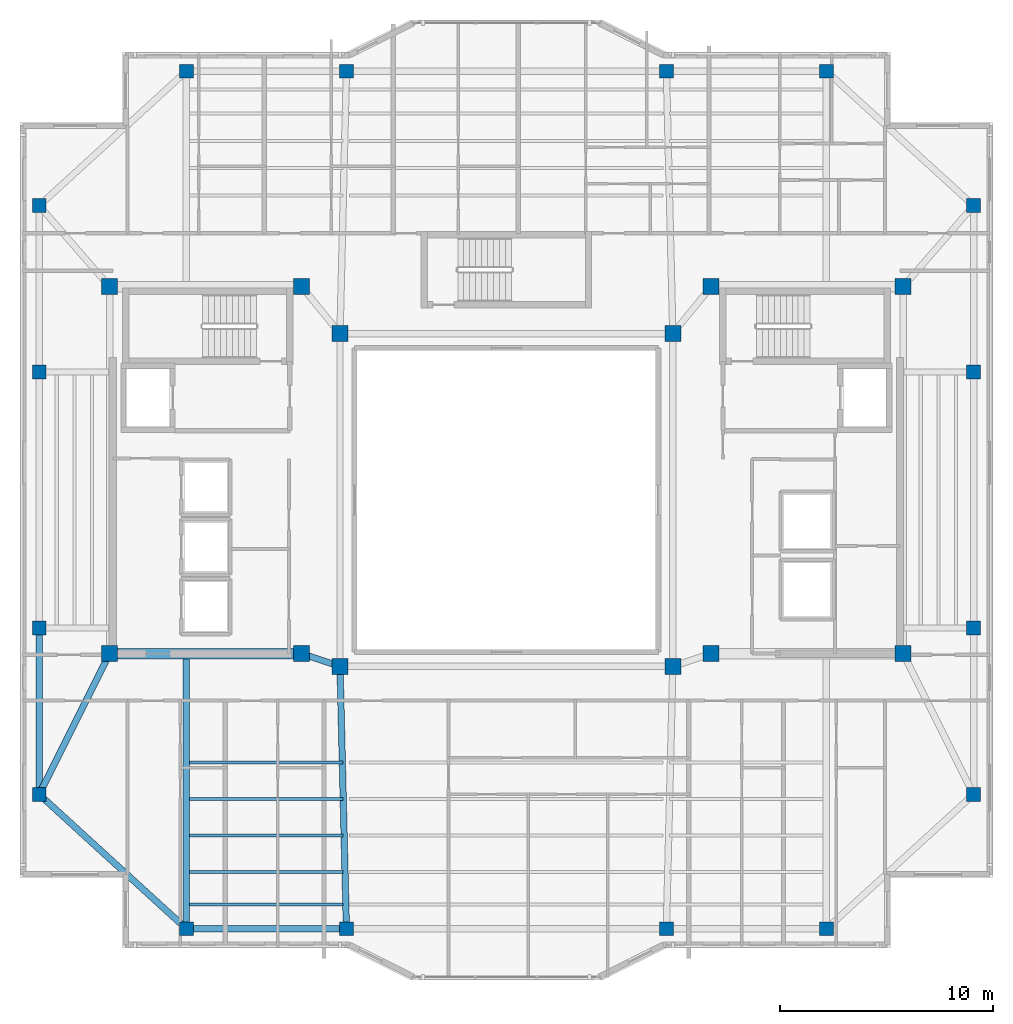
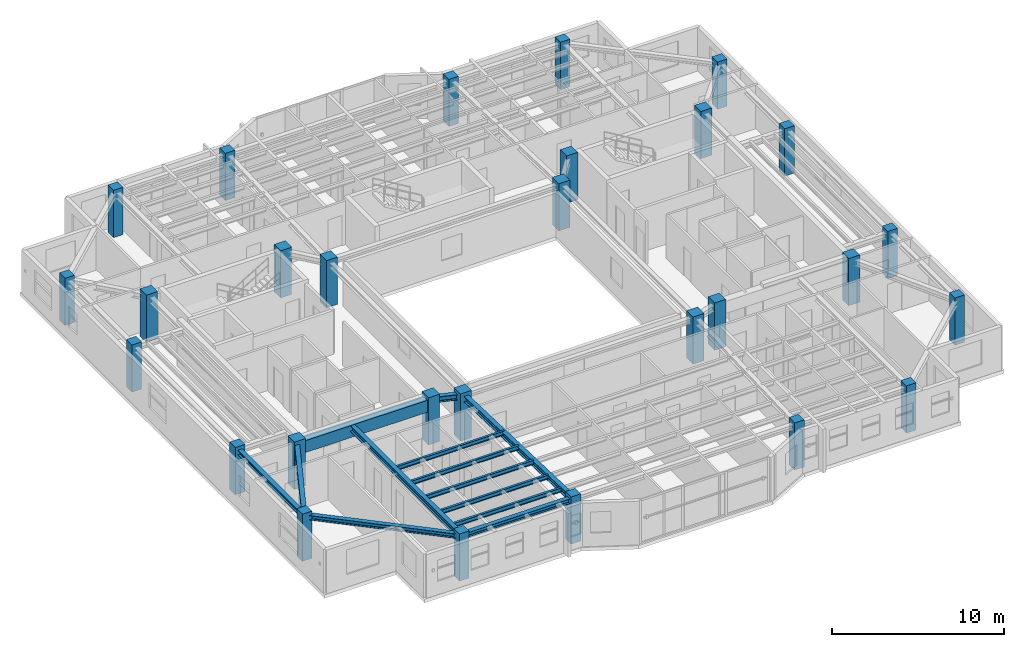
# One storey, part 1 of 14: 28 columns, 13 beams.
"""IFC4 building model written with IfcOpenShell, lengths in metres."""

from ifc_helpers import new_model, si_unit, direction, frame, origin, origin_2d, place, context, subcontext, project, spatial, rectangle, i_section, extrude, material, material_profile, profile_set, type_object, element, save


model = new_model("IFC4")

# Units and contexts
model_context = context("Model", 3, precision=1e-05, world=origin(), true_north=direction((0.0, 1.0)))
body_context = subcontext(model_context, "Body", "Model", "MODEL_VIEW")
ifc_project = project(units=[si_unit("LENGTHUNIT", "METRE"), si_unit("AREAUNIT", "SQUARE_METRE"), si_unit("VOLUMEUNIT", "CUBIC_METRE"), si_unit("PLANEANGLEUNIT", "RADIAN"), si_unit("MASSUNIT", "GRAM", prefix="KILO")], contexts=[model_context])

# Site, building, storey
site_placement = place(None, origin())
site = spatial("IfcSite", under=ifc_project, at=site_placement, CompositionType="ELEMENT")
building_placement = place(site_placement, origin())
building = spatial("IfcBuilding", under=site, at=building_placement, Name="Tarnavaz Court Tower", CompositionType="ELEMENT")
storey_placement = place(building_placement, frame((0.0, 0.0, 261.60009765625)))
storey = spatial("IfcBuildingStorey", under=building, at=storey_placement, Name="L71", CompositionType="ELEMENT", Elevation=261.60009765625)

# Columns
ifc_material_1 = material(Name="Concrete C50/60", Category="concrete")
ifc_material_profile_1 = material_profile(ifc_material_1, rectangle(XDim=0.64990234375, YDim=0.64990234375, at=origin_2d()), Name="RC 650X650")
ifc_profile_set_1 = profile_set([ifc_material_profile_1], Name="Concrete C50/60")
column_type_1 = type_object("IfcColumnType", Name="CL-RC650", PredefinedType="COLUMN", material=ifc_profile_set_1)
for number, where, z_axis, x_axis, name in (
    (1, (-15.0, 20.10009765625, 0.0), (0.0, 0.0, 1.0), (1.0, 0.0, 0.0), "L71 Column PN-1"),
    (2, (-7.5, 20.10009765625, 0.0), (0.0, 0.0, 1.0), (1.0, 0.0, 0.0), "L71 Column PN-2"),
    (3, (7.5, 20.10009765625, 0.0), (0.0, 0.0, 1.0), (1.0, 0.0, 0.0), "L71 Column PN-3"),
    (4, (15.0, 20.10009765625, 0.0), (0.0, 0.0, 1.0), (1.0, 0.0, 0.0), "L71 Column PN-4"),
    (5, (-15.0, -20.10009765625, 0.0), (0.0, 0.0, 1.0), (1.0, 0.0, 0.0), "L71 Column PS-1"),
    (6, (-7.5, -20.10009765625, 0.0), (0.0, 0.0, 1.0), (1.0, 0.0, 0.0), "L71 Column PS-2"),
    (7, (7.5, -20.10009765625, 0.0), (0.0, 0.0, 1.0), (1.0, 0.0, 0.0), "L71 Column PS-3"),
    (8, (15.0, -20.10009765625, 0.0), (0.0, 0.0, 1.0), (1.0, 0.0, 0.0), "L71 Column PS-4"),
    (9, (21.89990234375, -13.800048828125, 0.0), (0.0, 0.0, 1.0), (1.0, 0.0, 0.0), "L71 Column PE-1"),
    (10, (21.89990234375, -6.0, 0.0), (0.0, 0.0, 1.0), (1.0, 0.0, 0.0), "L71 Column PE-2"),
    (11, (21.89990234375, 6.0, 0.0), (0.0, 0.0, 1.0), (1.0, 0.0, 0.0), "L71 Column PE-3"),
    (12, (21.89990234375, 13.800048828125, 0.0), (0.0, 0.0, 1.0), (1.0, 0.0, 0.0), "L71 Column PE-4"),
    (13, (-21.89990234375, -13.800048828125, 0.0), (0.0, 0.0, 1.0), (1.0, 0.0, 0.0), "L71 Column PW-1"),
    (14, (-21.89990234375, -6.0, 0.0), (0.0, 0.0, 1.0), (1.0, 0.0, 0.0), "L71 Column PW-2"),
    (15, (-21.89990234375, 6.0, 0.0), (0.0, 0.0, 1.0), (1.0, 0.0, 0.0), "L71 Column PW-3"),
    (16, (-21.89990234375, 13.800048828125, 0.0), (0.0, 0.0, 1.0), (1.0, 0.0, 0.0), "L71 Column PW-4"),
):
    element("IfcColumn", number, at=place(storey_placement, frame(where, z_axis=z_axis, x_axis=x_axis)), inside=storey, type_object=column_type_1, Name=name, PredefinedType="COLUMN", context=body_context, shape_type="SweptSolid", body=[
        extrude(rectangle(XDim=0.64990234375, YDim=0.64990234375, at=origin_2d()), origin(), (0.0, 0.0, 1.0), 3.349853515625),
    ])
ifc_material_profile_2 = material_profile(ifc_material_1, rectangle(XDim=0.75, YDim=0.75, at=origin_2d()), Name="RC 750X750")
ifc_profile_set_2 = profile_set([ifc_material_profile_2], Name="Concrete C50/60")
column_type_2 = type_object("IfcColumnType", Name="CL-RC750", PredefinedType="COLUMN", material=ifc_profile_set_2)
for number, where, z_axis, x_axis, name in (
    (17, (-7.800048828125, -7.800048828125, 0.0), (0.0, 0.0, 1.0), (1.0, 0.0, 0.0), "L71 Column IW-SW"),
    (18, (7.800048828125, -7.800048828125, 0.0), (0.0, 0.0, 1.0), (1.0, 0.0, 0.0), "L71 Column IW-SE"),
    (19, (-7.800048828125, 7.800048828125, 0.0), (0.0, 0.0, 1.0), (1.0, 0.0, 0.0), "L71 Column IW-NW"),
    (20, (7.800048828125, 7.800048828125, 0.0), (0.0, 0.0, 1.0), (1.0, 0.0, 0.0), "L71 Column IW-NE"),
    (21, (-9.60009765625, -7.199951171875, 0.0), (0.0, 0.0, 1.0), (1.0, 0.0, 0.0), "L71 Column CW-SI"),
    (22, (-9.60009765625, 10.0, 0.0), (0.0, 0.0, 1.0), (1.0, 0.0, 0.0), "L71 Column CW-NI"),
    (23, (9.60009765625, -7.199951171875, 0.0), (0.0, 0.0, 1.0), (1.0, 0.0, 0.0), "L71 Column CE-SI"),
    (24, (9.60009765625, 10.0, 0.0), (0.0, 0.0, 1.0), (1.0, 0.0, 0.0), "L71 Column CE-NI"),
    (25, (-18.60009765625, -7.199951171875, 0.0), (0.0, 0.0, 1.0), (1.0, 0.0, 0.0), "L71 Column CW-SO"),
    (26, (-18.60009765625, 10.0, 0.0), (0.0, 0.0, 1.0), (1.0, 0.0, 0.0), "L71 Column CW-NO"),
    (27, (18.60009765625, -7.199951171875, 0.0), (0.0, 0.0, 1.0), (1.0, 0.0, 0.0), "L71 Column CE-SO"),
    (28, (18.60009765625, 10.0, 0.0), (0.0, 0.0, 1.0), (1.0, 0.0, 0.0), "L71 Column CE-NO"),
):
    element("IfcColumn", number, at=place(storey_placement, frame(where, z_axis=z_axis, x_axis=x_axis)), inside=storey, type_object=column_type_2, Name=name, PredefinedType="COLUMN", context=body_context, shape_type="SweptSolid", body=[
        extrude(rectangle(XDim=0.75, YDim=0.75, at=origin_2d()), origin(), (0.0, 0.0, 1.0), 3.349853515625),
    ])

# Beams
ifc_material_profile_3 = material_profile(ifc_material_1, rectangle(XDim=0.5, YDim=0.85009765625, at=origin_2d()), Name="RC 500X850")
ifc_profile_set_3 = profile_set([ifc_material_profile_3], Name="Concrete C50/60")
beam_type_1 = type_object("IfcBeamType", Name="BM-CB850", PredefinedType="LINTEL", material=ifc_profile_set_3)
beam_1_placement = place(storey_placement, frame((-18.3798828125, -7.199951171875, 2.6748046875), z_axis=(1.0, 0.0, 0.0), x_axis=(0.0, 1.0, 0.0)))
element("IfcBeam", 29, at=beam_1_placement, inside=storey, type_object=beam_type_1, Name="L71 Beam IN-CW-SO-CW-SI", PredefinedType="LINTEL", context=body_context, shape_type="SweptSolid", body=[
    extrude(rectangle(XDim=0.5, YDim=0.85009765625, at=origin_2d()), origin(), (0.0, 0.0, 1.0), 8.559814453125),
])
ifc_material_2 = material(Name="Steel S355", Category="steel")
ifc_material_profile_4 = material_profile(ifc_material_2, i_section(OverallWidth=0.300048828125, OverallDepth=0.39990234375, WebThickness=0.013427734375, FlangeThickness=0.02392578125, FilletRadius=0.027099609375, at=origin_2d()), Name="HEB 400")
ifc_profile_set_4 = profile_set([ifc_material_profile_4], Name="Steel S355")
beam_type_2 = type_object("IfcBeamType", Name="BM-G-HEB400", PredefinedType="USERDEFINED", material=ifc_profile_set_4)
beam_2_placement = place(storey_placement, frame((-9.391357421875, -7.26953125, 2.89990234375), z_axis=(0.948666544706, -0.316278021615, 0.0), x_axis=(0.316278021615, 0.948666544706, 0.0)))
element("IfcBeam", 30, at=beam_2_placement, inside=storey, type_object=beam_type_2, Name="L71 Beam IN-CW-SI-IW-SW", ObjectType="GIRDER", PredefinedType="USERDEFINED", context=body_context, shape_type="SweptSolid", body=[
    extrude(i_section(OverallWidth=0.300048828125, OverallDepth=0.39990234375, WebThickness=0.013427734375, FlangeThickness=0.02392578125, FilletRadius=0.027099609375, at=origin_2d()), origin(), (0.0, 0.0, 1.0), 1.457275390625),
])
beam_3_placement = place(storey_placement, frame((-15.0, -7.239990234375, 2.89990234375), z_axis=(0.0, -1.0, 0.0), x_axis=(1.0, 0.0, 0.0)))
element("IfcBeam", 31, at=beam_3_placement, inside=storey, type_object=beam_type_2, Name="L71 Beam RG-05", ObjectType="GIRDER", PredefinedType="USERDEFINED", context=body_context, shape_type="SweptSolid", body=[
    extrude(i_section(OverallWidth=0.300048828125, OverallDepth=0.39990234375, WebThickness=0.013427734375, FlangeThickness=0.02392578125, FilletRadius=0.027099609375, at=origin_2d()), origin(), (0.0, 0.0, 1.0), 12.639892578125),
])
beam_4_placement = place(storey_placement, frame((-7.794677734375, -8.02001953125, 2.89990234375), z_axis=(0.024386002211, -0.99970261723, 0.0), x_axis=(0.99970261723, 0.024386002211, 0.0)))
element("IfcBeam", 32, at=beam_4_placement, inside=storey, type_object=beam_type_2, Name="L71 Beam RG-06", ObjectType="GIRDER", PredefinedType="USERDEFINED", context=body_context, shape_type="SweptSolid", body=[
    extrude(i_section(OverallWidth=0.300048828125, OverallDepth=0.39990234375, WebThickness=0.013427734375, FlangeThickness=0.02392578125, FilletRadius=0.027099609375, at=origin_2d()), origin(), (0.0, 0.0, 1.0), 11.863525390625),
])
beam_5_placement = place(storey_placement, frame((-18.698486328125, -7.396728515625, 2.89990234375), z_axis=(-0.447185448279, -0.894441264057, 0.0), x_axis=(0.894441264057, -0.447185448279, 0.0)))
element("IfcBeam", 33, at=beam_5_placement, inside=storey, type_object=beam_type_2, Name="L71 Beam RG-15", ObjectType="GIRDER", PredefinedType="USERDEFINED", context=body_context, shape_type="SweptSolid", body=[
    extrude(i_section(OverallWidth=0.300048828125, OverallDepth=0.39990234375, WebThickness=0.013427734375, FlangeThickness=0.02392578125, FilletRadius=0.027099609375, at=origin_2d()), origin(), (0.0, 0.0, 1.0), 6.93896484375),
])
ifc_material_profile_5 = material_profile(ifc_material_2, i_section(OverallWidth=0.14990234375, OverallDepth=0.300048828125, WebThickness=0.007080078125, FlangeThickness=0.0107421875, FilletRadius=0.014892578125, at=origin_2d()), Name="IPE 300")
ifc_profile_set_5 = profile_set([ifc_material_profile_5], Name="Steel S355")
beam_type_3 = type_object("IfcBeamType", Name="BM-J-IPE300", PredefinedType="JOIST", material=ifc_profile_set_5)
for number, where, z_axis, x_axis, name in (
    (34, (-14.85009765625, -12.31005859375, 2.949951171875), (1.0, 0.0, 0.0), (0.0, 1.0, 0.0), "L71 Beam JS1-1"),
    (35, (-14.85009765625, -14.02001953125, 2.949951171875), (1.0, 0.0, 0.0), (0.0, 1.0, 0.0), "L71 Beam JS2-1"),
    (36, (-14.85009765625, -15.72998046875, 2.949951171875), (1.0, 0.0, 0.0), (0.0, 1.0, 0.0), "L71 Beam JS3-1"),
    (37, (-14.85009765625, -17.43994140625, 2.949951171875), (1.0, 0.0, 0.0), (0.0, 1.0, 0.0), "L71 Beam JS4-1"),
    (38, (-14.85009765625, -18.9599609375, 2.949951171875), (1.0, 0.0, 0.0), (0.0, 1.0, 0.0), "L71 Beam JS5-1"),
):
    element("IfcBeam", number, at=place(storey_placement, frame(where, z_axis=z_axis, x_axis=x_axis)), inside=storey, type_object=beam_type_3, Name=name, PredefinedType="JOIST", context=body_context, shape_type="SweptSolid", body=[
        extrude(i_section(OverallWidth=0.14990234375, OverallDepth=0.300048828125, WebThickness=0.007080078125, FlangeThickness=0.0107421875, FilletRadius=0.014892578125, at=origin_2d()), origin(), (0.0, 0.0, 1.0), 7.2001953125),
    ])
ifc_material_profile_6 = material_profile(ifc_material_2, i_section(OverallWidth=0.300048828125, OverallDepth=0.330078125, WebThickness=0.009521484375, FlangeThickness=0.0166015625, FilletRadius=0.027099609375, at=origin_2d()), Name="HEA 340")
ifc_profile_set_6 = profile_set([ifc_material_profile_6], Name="Steel S355")
beam_type_4 = type_object("IfcBeamType", Name="BM-SP-HEA340", PredefinedType="BEAM", material=ifc_profile_set_6)
beam_6_placement = place(storey_placement, frame((-14.780029296875, -20.10009765625, 2.934814453125), z_axis=(1.0, 0.0, 0.0), x_axis=(0.0, 1.0, 0.0)))
element("IfcBeam", 39, at=beam_6_placement, inside=storey, type_object=beam_type_4, Name="L71 Beam PR-PS-1-PS-2", PredefinedType="BEAM", context=body_context, shape_type="SweptSolid", body=[
    extrude(i_section(OverallWidth=0.300048828125, OverallDepth=0.330078125, WebThickness=0.009521484375, FlangeThickness=0.0166015625, FilletRadius=0.027099609375, at=origin_2d()), origin(), (0.0, 0.0, 1.0), 7.06005859375),
])
beam_7_placement = place(storey_placement, frame((-21.89990234375, -13.580078125, 2.934814453125), z_axis=(0.0, 1.0, 0.0), x_axis=(-1.0, 0.0, 0.0)))
element("IfcBeam", 40, at=beam_7_placement, inside=storey, type_object=beam_type_4, Name="L71 Beam PR-PW-1-PW-2", PredefinedType="BEAM", context=body_context, shape_type="SweptSolid", body=[
    extrude(i_section(OverallWidth=0.300048828125, OverallDepth=0.330078125, WebThickness=0.009521484375, FlangeThickness=0.0166015625, FilletRadius=0.027099609375, at=origin_2d()), origin(), (0.0, 0.0, 1.0), 7.360107421875),
])
beam_8_placement = place(storey_placement, frame((-15.16259765625, -19.95166015625, 2.934814453125), z_axis=(-0.738474214476, 0.674281717499, 0.0), x_axis=(-0.674281717499, -0.738474214476, 0.0)))
element("IfcBeam", 41, at=beam_8_placement, inside=storey, type_object=beam_type_4, Name="L71 Beam PR-PS-1-PW-1", PredefinedType="BEAM", context=body_context, shape_type="SweptSolid", body=[
    extrude(i_section(OverallWidth=0.300048828125, OverallDepth=0.330078125, WebThickness=0.009521484375, FlangeThickness=0.0166015625, FilletRadius=0.027099609375, at=origin_2d()), origin(), (0.0, 0.0, 1.0), 8.9033203125),
])

save(model, "model.ifc")
